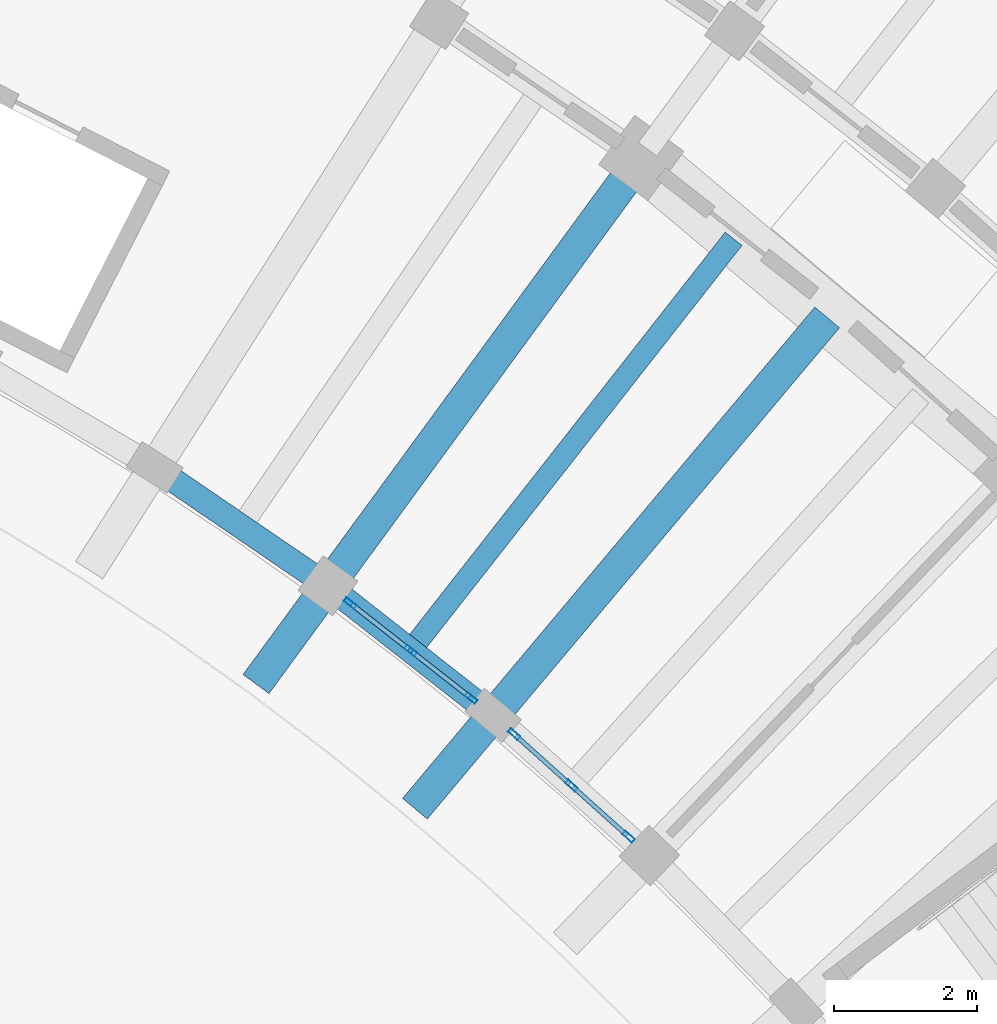
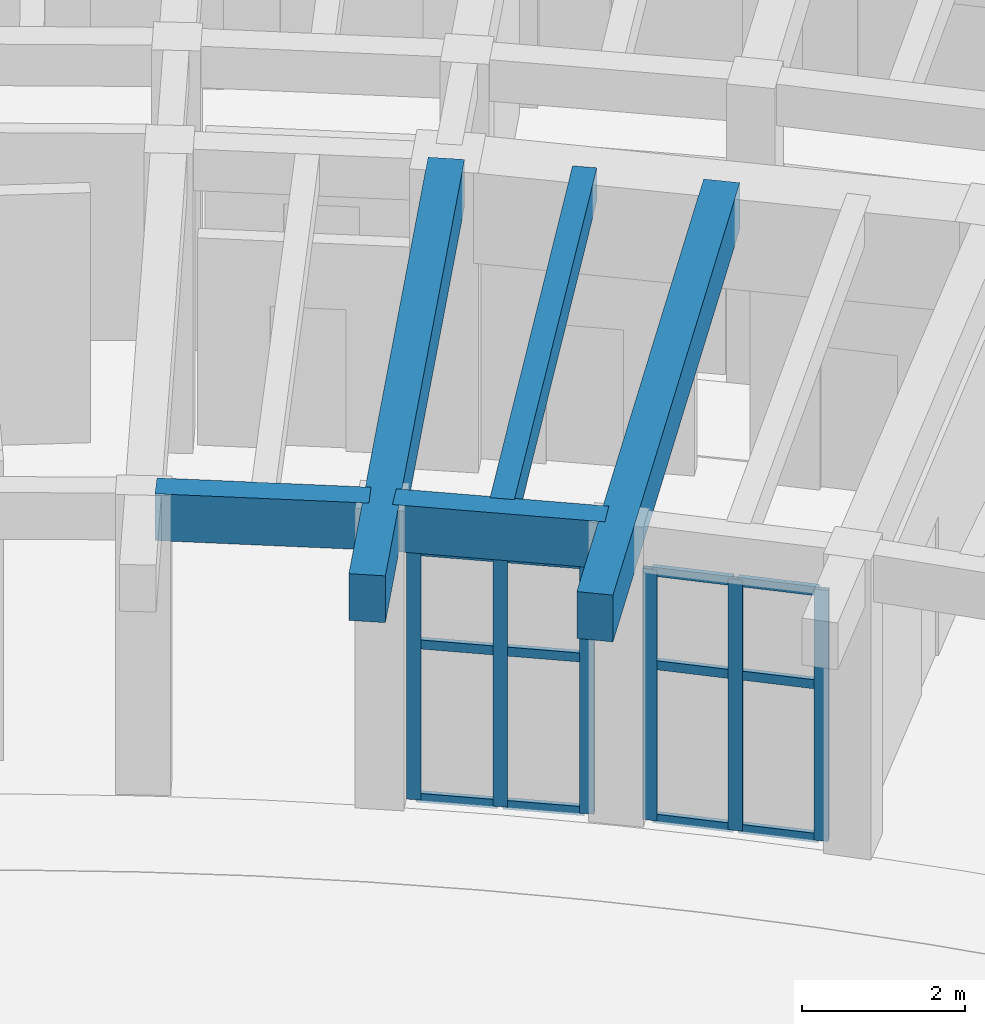
# One storey, part 63 of 132: 18 members, 5 beams, 2 elements without a shape of their own.
"""IFC4 building model written with IfcOpenShell, lengths in metres."""

from ifc_helpers import new_model, si_unit, direction, frame, origin, origin_2d, place, context, subcontext, project, spatial, rectangle, hollow_rectangle, extrude, material, material_profile, profile_set, type_object, element, aggregate, save


model = new_model("IFC4")

# Units and contexts
model_context = context("Model", 3, precision=1e-05, world=origin(), true_north=direction((0.0, 1.0)))
body_context = subcontext(model_context, "Body", "Model", "MODEL_VIEW")
ifc_project = project(units=[si_unit("LENGTHUNIT", "METRE"), si_unit("AREAUNIT", "SQUARE_METRE"), si_unit("VOLUMEUNIT", "CUBIC_METRE"), si_unit("PLANEANGLEUNIT", "RADIAN"), si_unit("MASSUNIT", "GRAM", prefix="KILO")], contexts=[model_context])

# Site, building, storey
site_placement = place(None, origin())
site = spatial("IfcSite", under=ifc_project, at=site_placement, CompositionType="ELEMENT")
building_placement = place(site_placement, origin())
building = spatial("IfcBuilding", under=site, at=building_placement, Name="Tanwirah Colonnade Gardens", CompositionType="ELEMENT")
storey_placement = place(building_placement, origin())
storey = spatial("IfcBuildingStorey", under=building, at=storey_placement, Name="L00", CompositionType="ELEMENT", Elevation=0.0)

# Beams
ifc_material_1 = material(Name="Precast concrete C45/55", Category="concrete")
ifc_material_profile_1 = material_profile(ifc_material_1, rectangle(XDim=0.449951171875, YDim=0.699951171875, at=origin_2d()), Name="PC-BM 450x700")
ifc_profile_set_1 = profile_set([ifc_material_profile_1], Name="Precast concrete C45/55")
beam_type_1 = type_object("IfcBeamType", Name="BM-PC450", PredefinedType="BEAM", material=ifc_profile_set_1)
for number, where, z_axis, x_axis, name in (
    (1, (154.232177734375, 99.804443359375, 4.135009765625), (-0.64279407932, -0.766039014406, 0.0), (0.766039014406, -0.64279407932, 0.0), "Block B L00 Inner Radial Precast Girder 9"),
    (2, (151.550537109375, 101.907958984375, 4.135009765625), (-0.590927205009, -0.806724883947, 0.0), (0.806724883947, -0.590927205009, 0.0), "Block B L00 Inner Radial Precast Girder 10"),
):
    element("IfcBeam", number, at=place(storey_placement, frame(where, z_axis=z_axis, x_axis=x_axis)), inside=storey, type_object=beam_type_1, Name=name, PredefinedType="BEAM", context=body_context, shape_type="SweptSolid", body=[
        extrude(rectangle(XDim=0.449951171875, YDim=0.699951171875, at=origin_2d()), origin(), (0.0, 0.0, 1.0), 8.949951171875),
    ])

# Curtain wall, members
ifc_material_2 = material(Name="Bronze-anodised aluminium and solar-control low-E glass", Category="aluminium")
curtain_wall_type = type_object("IfcCurtainWallType", Name="CW-GDN", PredefinedType="NOTDEFINED", material=ifc_material_2)
curtain_wall_1_placement = place(storey_placement, origin())
curtain_wall_1 = element("IfcCurtainWall", 3, at=curtain_wall_1_placement, inside=storey, type_object=curtain_wall_type, Name="Curtain Wall CW-B-L00-IN-08", PredefinedType="NOTDEFINED")
ifc_material_3 = material(Name="Bronze-anodised aluminium", Category="aluminium")
ifc_material_profile_2 = material_profile(ifc_material_3, hollow_rectangle(XDim=0.06494140625, YDim=0.179931640625, WallThickness=0.00390625, at=origin_2d()), Name="CW-MUL 65x180x4")
ifc_profile_set_2 = profile_set([ifc_material_profile_2], Name="Bronze-anodised aluminium")
member_type_1 = type_object("IfcMemberType", Name="CWM-65x180", PredefinedType="MULLION", material=ifc_profile_set_2)
member_1_placement = place(storey_placement, frame((151.461181640625, 92.55615234375, 0.0), z_axis=(0.0, 0.0, 1.0), x_axis=(-0.667689182798, -0.744440162253, 0.0)))
member_1 = element("IfcMember", 4, at=member_1_placement, type_object=member_type_1, Name="CW-GDN mullion 1", PredefinedType="MULLION", context=body_context, shape_type="SweptSolid", body=[
    extrude(hollow_rectangle(XDim=0.06494140625, YDim=0.179931640625, WallThickness=0.00390625, at=origin_2d()), origin(), (0.0, 0.0, 1.0), 3.7548828125),
])
member_2_placement = place(storey_placement, frame((150.66259765625, 93.2724609375, 0.0), z_axis=(0.0, 0.0, 1.0), x_axis=(-0.667689182798, -0.744440162253, 0.0)))
member_2 = element("IfcMember", 5, at=member_2_placement, type_object=member_type_1, Name="CW-GDN mullion 2", PredefinedType="MULLION", context=body_context, shape_type="SweptSolid", body=[
    extrude(hollow_rectangle(XDim=0.06494140625, YDim=0.179931640625, WallThickness=0.00390625, at=origin_2d()), origin(), (0.0, 0.0, 1.0), 3.7548828125),
])
member_3_placement = place(storey_placement, frame((149.864013671875, 93.988525390625, 0.0), z_axis=(0.0, 0.0, 1.0), x_axis=(-0.667689182798, -0.744440162253, 0.0)))
member_3 = element("IfcMember", 6, at=member_3_placement, type_object=member_type_1, Name="CW-GDN mullion 3", PredefinedType="MULLION", context=body_context, shape_type="SweptSolid", body=[
    extrude(hollow_rectangle(XDim=0.06494140625, YDim=0.179931640625, WallThickness=0.00390625, at=origin_2d()), origin(), (0.0, 0.0, 1.0), 3.7548828125),
])

curtain_wall_2_placement = place(storey_placement, origin())
curtain_wall_2 = element("IfcCurtainWall", 7, at=curtain_wall_2_placement, inside=storey, type_object=curtain_wall_type, Name="Curtain Wall CW-B-L00-IN-09", PredefinedType="NOTDEFINED")
member_4_placement = place(storey_placement, frame((149.26318359375, 94.492919921875, 0.0), z_axis=(0.0, 0.0, 1.0), x_axis=(-0.617188542982, -0.786815291166, 0.0)))
member_4 = element("IfcMember", 8, at=member_4_placement, type_object=member_type_1, Name="CW-GDN mullion 1", PredefinedType="MULLION", context=body_context, shape_type="SweptSolid", body=[
    extrude(hollow_rectangle(XDim=0.06494140625, YDim=0.179931640625, WallThickness=0.00390625, at=origin_2d()), origin(), (0.0, 0.0, 1.0), 3.7548828125),
])
member_5_placement = place(storey_placement, frame((148.419189453125, 95.155029296875, 0.0), z_axis=(0.0, 0.0, 1.0), x_axis=(-0.617188542982, -0.786815291166, 0.0)))
member_5 = element("IfcMember", 9, at=member_5_placement, type_object=member_type_1, Name="CW-GDN mullion 2", PredefinedType="MULLION", context=body_context, shape_type="SweptSolid", body=[
    extrude(hollow_rectangle(XDim=0.06494140625, YDim=0.179931640625, WallThickness=0.00390625, at=origin_2d()), origin(), (0.0, 0.0, 1.0), 3.7548828125),
])
member_6_placement = place(storey_placement, frame((147.5751953125, 95.81689453125, 0.0), z_axis=(0.0, 0.0, 1.0), x_axis=(-0.617188542982, -0.786815291166, 0.0)))
member_6 = element("IfcMember", 10, at=member_6_placement, type_object=member_type_1, Name="CW-GDN mullion 3", PredefinedType="MULLION", context=body_context, shape_type="SweptSolid", body=[
    extrude(hollow_rectangle(XDim=0.06494140625, YDim=0.179931640625, WallThickness=0.00390625, at=origin_2d()), origin(), (0.0, 0.0, 1.0), 3.7548828125),
])

# Member
ifc_material_profile_3 = material_profile(ifc_material_3, hollow_rectangle(XDim=0.06494140625, YDim=0.135009765625, WallThickness=0.00390625, at=origin_2d()), Name="CW-TRN 65x135x4")
ifc_profile_set_3 = profile_set([ifc_material_profile_3], Name="Bronze-anodised aluminium")
member_type_2 = type_object("IfcMemberType", Name="CWT-65x135", PredefinedType="USERDEFINED", material=ifc_profile_set_3)
member_7_placement = place(storey_placement, frame((151.43701171875, 92.577880859375, 0.032470703125), z_axis=(-0.744461476402, 0.667665417821, 0.0), x_axis=(-0.667665417821, -0.744461476402, 0.0)))
member_7 = element("IfcMember", 11, at=member_7_placement, type_object=member_type_2, Name="CW-GDN transom 1.1", ObjectType="TRANSOM", PredefinedType="USERDEFINED", context=body_context, shape_type="SweptSolid", body=[
    extrude(hollow_rectangle(XDim=0.06494140625, YDim=0.135009765625, WallThickness=0.00390625, at=origin_2d()), origin(), (0.0, 0.0, 1.0), 1.0078125),
])

member_8_placement = place(storey_placement, frame((151.43701171875, 92.577880859375, 2.328125), z_axis=(-0.744461476402, 0.667665417821, 0.0), x_axis=(-0.667665417821, -0.744461476402, 0.0)))
member_8 = element("IfcMember", 12, at=member_8_placement, type_object=member_type_2, Name="CW-GDN transom 1.2", ObjectType="TRANSOM", PredefinedType="USERDEFINED", context=body_context, shape_type="SweptSolid", body=[
    extrude(hollow_rectangle(XDim=0.06494140625, YDim=0.135009765625, WallThickness=0.00390625, at=origin_2d()), origin(), (0.0, 0.0, 1.0), 1.0078125),
])

member_9_placement = place(storey_placement, frame((151.43701171875, 92.577880859375, 3.722412109375), z_axis=(-0.744461476402, 0.667665417821, 0.0), x_axis=(-0.667665417821, -0.744461476402, 0.0)))
member_9 = element("IfcMember", 13, at=member_9_placement, type_object=member_type_2, Name="CW-GDN transom 1.3", ObjectType="TRANSOM", PredefinedType="USERDEFINED", context=body_context, shape_type="SweptSolid", body=[
    extrude(hollow_rectangle(XDim=0.06494140625, YDim=0.135009765625, WallThickness=0.00390625, at=origin_2d()), origin(), (0.0, 0.0, 1.0), 1.0078125),
])

member_10_placement = place(storey_placement, frame((150.638427734375, 93.294189453125, 0.032470703125), z_axis=(-0.744581898821, 0.667531119835, 0.0), x_axis=(-0.667531119835, -0.744581898821, 0.0)))
member_10 = element("IfcMember", 14, at=member_10_placement, type_object=member_type_2, Name="CW-GDN transom 2.1", ObjectType="TRANSOM", PredefinedType="USERDEFINED", context=body_context, shape_type="SweptSolid", body=[
    extrude(hollow_rectangle(XDim=0.06494140625, YDim=0.135009765625, WallThickness=0.00390625, at=origin_2d()), origin(), (0.0, 0.0, 1.0), 1.007568359375),
])

member_11_placement = place(storey_placement, frame((150.638427734375, 93.294189453125, 2.328125), z_axis=(-0.744581898821, 0.667531119835, 0.0), x_axis=(-0.667531119835, -0.744581898821, 0.0)))
member_11 = element("IfcMember", 15, at=member_11_placement, type_object=member_type_2, Name="CW-GDN transom 2.2", ObjectType="TRANSOM", PredefinedType="USERDEFINED", context=body_context, shape_type="SweptSolid", body=[
    extrude(hollow_rectangle(XDim=0.06494140625, YDim=0.135009765625, WallThickness=0.00390625, at=origin_2d()), origin(), (0.0, 0.0, 1.0), 1.007568359375),
])

member_12_placement = place(storey_placement, frame((150.638427734375, 93.294189453125, 3.722412109375), z_axis=(-0.744581898821, 0.667531119835, 0.0), x_axis=(-0.667531119835, -0.744581898821, 0.0)))
member_12 = element("IfcMember", 16, at=member_12_placement, type_object=member_type_2, Name="CW-GDN transom 2.3", ObjectType="TRANSOM", PredefinedType="USERDEFINED", context=body_context, shape_type="SweptSolid", body=[
    extrude(hollow_rectangle(XDim=0.06494140625, YDim=0.135009765625, WallThickness=0.00390625, at=origin_2d()), origin(), (0.0, 0.0, 1.0), 1.007568359375),
])

aggregate(curtain_wall_1, [member_1, member_2, member_3, member_7, member_8, member_9, member_10, member_11, member_12])

member_13_placement = place(storey_placement, frame((149.237548828125, 94.512939453125, 0.032470703125), z_axis=(-0.786906471393, 0.617072285295, 0.0), x_axis=(-0.617072285295, -0.786906471393, 0.0)))
member_13 = element("IfcMember", 17, at=member_13_placement, type_object=member_type_2, Name="CW-GDN transom 1.1", ObjectType="TRANSOM", PredefinedType="USERDEFINED", context=body_context, shape_type="SweptSolid", body=[
    extrude(hollow_rectangle(XDim=0.06494140625, YDim=0.135009765625, WallThickness=0.00390625, at=origin_2d()), origin(), (0.0, 0.0, 1.0), 1.0078125),
])

member_14_placement = place(storey_placement, frame((149.237548828125, 94.512939453125, 2.328125), z_axis=(-0.786906471393, 0.617072285295, 0.0), x_axis=(-0.617072285295, -0.786906471393, 0.0)))
member_14 = element("IfcMember", 18, at=member_14_placement, type_object=member_type_2, Name="CW-GDN transom 1.2", ObjectType="TRANSOM", PredefinedType="USERDEFINED", context=body_context, shape_type="SweptSolid", body=[
    extrude(hollow_rectangle(XDim=0.06494140625, YDim=0.135009765625, WallThickness=0.00390625, at=origin_2d()), origin(), (0.0, 0.0, 1.0), 1.0078125),
])

member_15_placement = place(storey_placement, frame((149.237548828125, 94.512939453125, 3.722412109375), z_axis=(-0.786906471393, 0.617072285295, 0.0), x_axis=(-0.617072285295, -0.786906471393, 0.0)))
member_15 = element("IfcMember", 19, at=member_15_placement, type_object=member_type_2, Name="CW-GDN transom 1.3", ObjectType="TRANSOM", PredefinedType="USERDEFINED", context=body_context, shape_type="SweptSolid", body=[
    extrude(hollow_rectangle(XDim=0.06494140625, YDim=0.135009765625, WallThickness=0.00390625, at=origin_2d()), origin(), (0.0, 0.0, 1.0), 1.0078125),
])

member_16_placement = place(storey_placement, frame((148.3935546875, 95.175048828125, 0.032470703125), z_axis=(-0.786814192286, 0.617189943872, 0.0), x_axis=(-0.617189943872, -0.786814192286, 0.0)))
member_16 = element("IfcMember", 20, at=member_16_placement, type_object=member_type_2, Name="CW-GDN transom 2.1", ObjectType="TRANSOM", PredefinedType="USERDEFINED", context=body_context, shape_type="SweptSolid", body=[
    extrude(hollow_rectangle(XDim=0.06494140625, YDim=0.135009765625, WallThickness=0.00390625, at=origin_2d()), origin(), (0.0, 0.0, 1.0), 1.007568359375),
])

member_17_placement = place(storey_placement, frame((148.3935546875, 95.175048828125, 2.328125), z_axis=(-0.786814192286, 0.617189943872, 0.0), x_axis=(-0.617189943872, -0.786814192286, 0.0)))
member_17 = element("IfcMember", 21, at=member_17_placement, type_object=member_type_2, Name="CW-GDN transom 2.2", ObjectType="TRANSOM", PredefinedType="USERDEFINED", context=body_context, shape_type="SweptSolid", body=[
    extrude(hollow_rectangle(XDim=0.06494140625, YDim=0.135009765625, WallThickness=0.00390625, at=origin_2d()), origin(), (0.0, 0.0, 1.0), 1.007568359375),
])

member_18_placement = place(storey_placement, frame((148.3935546875, 95.175048828125, 3.722412109375), z_axis=(-0.786814192286, 0.617189943872, 0.0), x_axis=(-0.617189943872, -0.786814192286, 0.0)))
member_18 = element("IfcMember", 22, at=member_18_placement, type_object=member_type_2, Name="CW-GDN transom 2.3", ObjectType="TRANSOM", PredefinedType="USERDEFINED", context=body_context, shape_type="SweptSolid", body=[
    extrude(hollow_rectangle(XDim=0.06494140625, YDim=0.135009765625, WallThickness=0.00390625, at=origin_2d()), origin(), (0.0, 0.0, 1.0), 1.007568359375),
])

aggregate(curtain_wall_2, [member_4, member_5, member_6, member_13, member_14, member_15, member_16, member_17, member_18])

# Beams
ifc_material_4 = material(Name="Precast concrete C40/50", Category="concrete")
ifc_material_profile_4 = material_profile(ifc_material_4, rectangle(XDim=0.300048828125, YDim=0.5, at=origin_2d()), Name="PC-JST 300x500")
ifc_profile_set_4 = profile_set([ifc_material_profile_4], Name="Precast concrete C40/50")
beam_type_2 = type_object("IfcBeamType", Name="JST-PC300", PredefinedType="JOIST", material=ifc_profile_set_4)
beam_placement = place(storey_placement, frame((148.508056640625, 95.268310546875, 4.235107421875), z_axis=(0.617202438917, 0.786804390808, 0.0), x_axis=(-0.786804390808, 0.617202438917, 0.0)))
element("IfcBeam", 23, at=beam_placement, inside=storey, type_object=beam_type_2, Name="Block B L00 Inner Precast Floor Joist 9", PredefinedType="JOIST", context=body_context, shape_type="SweptSolid", body=[
    extrude(rectangle(XDim=0.300048828125, YDim=0.5, at=origin_2d()), origin(), (0.0, 0.0, 1.0), 7.159912109375),
])
ifc_material_profile_5 = material_profile(ifc_material_1, rectangle(XDim=0.340087890625, YDim=0.699951171875, at=origin_2d()), Name="PC-SP 340x700")
ifc_profile_set_5 = profile_set([ifc_material_profile_5], Name="Precast concrete C45/55")
beam_type_3 = type_object("IfcBeamType", Name="SP-PC340", PredefinedType="SPANDREL", material=ifc_profile_set_5)
for number, where, z_axis, x_axis, name in (
    (24, (149.453857421875, 94.34326171875, 4.135009765625), (-0.786836625031, 0.617161344795, 0.0), (-0.617161344795, -0.786836625031, 0.0), "Block B L00 Circumferential Beam 9-R0"),
    (25, (147.142578125, 96.143798828125, 4.135009765625), (-0.825800981874, 0.563961646158, 0.0), (-0.563961646158, -0.825800981874, 0.0), "Block B L00 Circumferential Beam 10-R0"),
):
    element("IfcBeam", number, at=place(storey_placement, frame(where, z_axis=z_axis, x_axis=x_axis)), inside=storey, type_object=beam_type_3, Name=name, PredefinedType="SPANDREL", context=body_context, shape_type="SweptSolid", body=[
        extrude(rectangle(XDim=0.340087890625, YDim=0.699951171875, at=origin_2d()), origin(), (0.0, 0.0, 1.0), 2.63037109375),
    ])

save(model, "model.ifc")
